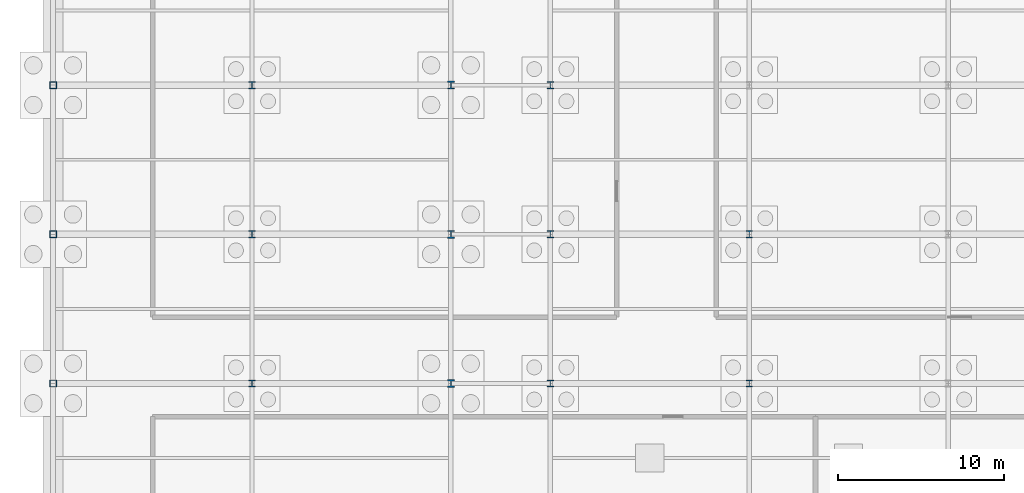
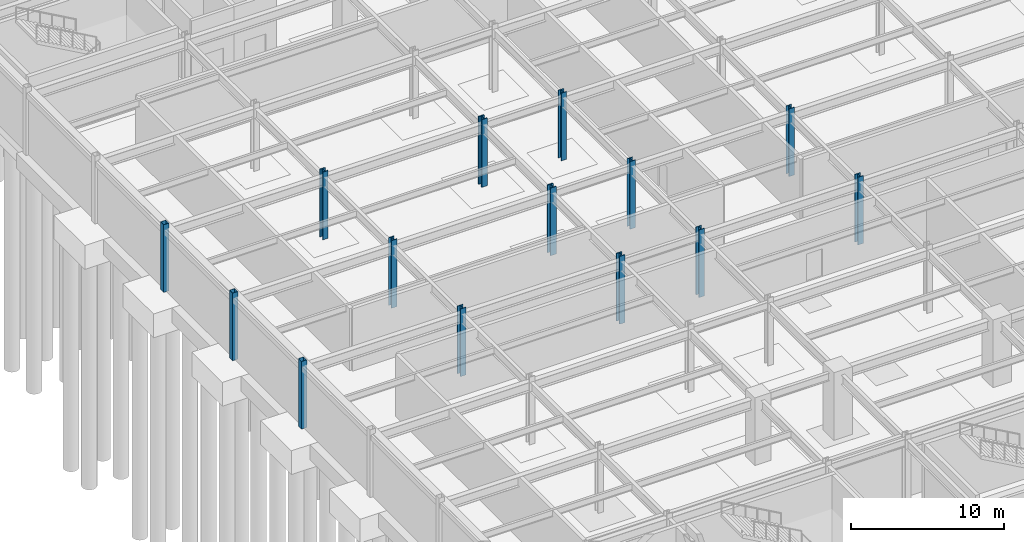
# One storey, part 10 of 47: 14 columns.
"""IFC4 building model written with IfcOpenShell, lengths in metres."""

from ifc_helpers import new_model, si_unit, direction, frame, origin, origin_2d, place, context, subcontext, project, spatial, hollow_rectangle, i_section, extrude, material, material_profile, profile_set, type_object, element, save


model = new_model("IFC4")

# Units and contexts
model_context = context("Model", 3, precision=1e-05, world=origin(), true_north=direction((0.0, 1.0)))
body_context = subcontext(model_context, "Body", "Model", "MODEL_VIEW")
ifc_project = project(units=[si_unit("LENGTHUNIT", "METRE"), si_unit("AREAUNIT", "SQUARE_METRE"), si_unit("VOLUMEUNIT", "CUBIC_METRE"), si_unit("PLANEANGLEUNIT", "RADIAN"), si_unit("MASSUNIT", "GRAM", prefix="KILO")], contexts=[model_context])

# Site, building, storey
site_placement = place(None, origin())
site = spatial("IfcSite", under=ifc_project, at=site_placement, CompositionType="ELEMENT")
building_placement = place(site_placement, origin())
building = spatial("IfcBuilding", under=site, at=building_placement, Name="Kaldorvane Square Convention Centre", CompositionType="ELEMENT")
storey_placement = place(building_placement, frame((0.0, 0.0, -5.399993896484375)))
storey = spatial("IfcBuildingStorey", under=building, at=storey_placement, Name="B01", CompositionType="ELEMENT", Elevation=-5.399993896484375)

# Columns
ifc_material_1 = material(Name="Steel ASTM A500 Gr. C", Category="steel")
ifc_material_profile_1 = material_profile(ifc_material_1, hollow_rectangle(XDim=0.406402587890625, YDim=0.406402587890625, WallThickness=0.014801025390625, at=origin_2d()), Name="HSS16X16X5/8")
ifc_profile_set_1 = profile_set([ifc_material_profile_1], Name="Steel ASTM A500 Gr. C")
column_type_1 = type_object("IfcColumnType", Name="COL-HSS-16", PredefinedType="COLUMN", material=ifc_profile_set_1)
for number, where, z_axis, x_axis, name in (
    (1, (0.0, 36.0, 0.0), (0.0, 0.0, 1.0), (1.0, 0.0, 0.0), "Column SC-14 (B01)"),
    (2, (0.0, 45.0, 0.0), (0.0, 0.0, 1.0), (1.0, 0.0, 0.0), "Column SC-14 (B01)"),
    (3, (0.0, 54.0, 0.0), (0.0, 0.0, 1.0), (1.0, 0.0, 0.0), "Column SC-14 (B01)"),
):
    element("IfcColumn", number, at=place(storey_placement, frame(where, z_axis=z_axis, x_axis=x_axis)), inside=storey, type_object=column_type_1, Name=name, PredefinedType="COLUMN", context=body_context, shape_type="SweptSolid", body=[
        extrude(hollow_rectangle(XDim=0.406402587890625, YDim=0.406402587890625, WallThickness=0.014801025390625, at=origin_2d()), origin(), (0.0, 0.0, 1.0), 5.399993896484375),
    ])
ifc_material_2 = material(Name="Steel ASTM A992 Gr. 50", Category="steel")
ifc_material_profile_2 = material_profile(ifc_material_2, i_section(OverallWidth=0.412200927734375, OverallDepth=0.4347991943359375, WebThickness=0.035797119140625, FlangeThickness=0.057403564453125, FilletRadius=0.0305023193359375, at=origin_2d()), Name="W14X311")
ifc_profile_set_2 = profile_set([ifc_material_profile_2], Name="Steel ASTM A992 Gr. 50")
column_type_2 = type_object("IfcColumnType", Name="COL-STL-311", PredefinedType="COLUMN", material=ifc_profile_set_2)
for number, where, z_axis, x_axis, name in (
    (4, (12.0, 36.0, 0.0), (0.0, 0.0, 1.0), (1.0, 0.0, 0.0), "Column SC-06 (B01)"),
    (5, (12.0, 45.0, 0.0), (0.0, 0.0, 1.0), (1.0, 0.0, 0.0), "Column SC-06 (B01)"),
    (6, (12.0, 54.0, 0.0), (0.0, 0.0, 1.0), (1.0, 0.0, 0.0), "Column SC-06 (B01)"),
    (7, (30.0, 36.0, 0.0), (0.0, 0.0, 1.0), (1.0, 0.0, 0.0), "Column SC-06 (B01)"),
    (8, (30.0, 45.0, 0.0), (0.0, 0.0, 1.0), (1.0, 0.0, 0.0), "Column SC-06 (B01)"),
    (9, (30.0, 54.0, 0.0), (0.0, 0.0, 1.0), (1.0, 0.0, 0.0), "Column SC-06 (B01)"),
    (10, (42.0, 36.0, 0.0), (0.0, 0.0, 1.0), (1.0, 0.0, 0.0), "Column SC-06 (B01)"),
    (11, (42.0, 45.0, 0.0), (0.0, 0.0, 1.0), (1.0, 0.0, 0.0), "Column SC-06 (B01)"),
):
    element("IfcColumn", number, at=place(storey_placement, frame(where, z_axis=z_axis, x_axis=x_axis)), inside=storey, type_object=column_type_2, Name=name, PredefinedType="COLUMN", context=body_context, shape_type="SweptSolid", body=[
        extrude(i_section(OverallWidth=0.412200927734375, OverallDepth=0.4347991943359375, WebThickness=0.035797119140625, FlangeThickness=0.057403564453125, FilletRadius=0.0305023193359375, at=origin_2d()), origin(), (0.0, 0.0, 1.0), 5.399993896484375),
    ])
ifc_material_profile_3 = material_profile(ifc_material_2, i_section(OverallWidth=0.424102783203125, OverallDepth=0.4741973876953125, WebThickness=0.047607421875, FlangeThickness=0.0771026611328125, FilletRadius=0.0305023193359375, at=origin_2d()), Name="W14X426")
ifc_profile_set_3 = profile_set([ifc_material_profile_3], Name="Steel ASTM A992 Gr. 50")
column_type_3 = type_object("IfcColumnType", Name="COL-STL-426", PredefinedType="COLUMN", material=ifc_profile_set_3)
for number, where, z_axis, x_axis, name in (
    (12, (24.0, 36.0, 0.0), (0.0, 0.0, 1.0), (1.0, 0.0, 0.0), "Column SC-04 (B01)"),
    (13, (24.0, 45.0, 0.0), (0.0, 0.0, 1.0), (1.0, 0.0, 0.0), "Column SC-04 (B01)"),
    (14, (24.0, 54.0, 0.0), (0.0, 0.0, 1.0), (1.0, 0.0, 0.0), "Column SC-04 (B01)"),
):
    element("IfcColumn", number, at=place(storey_placement, frame(where, z_axis=z_axis, x_axis=x_axis)), inside=storey, type_object=column_type_3, Name=name, PredefinedType="COLUMN", context=body_context, shape_type="SweptSolid", body=[
        extrude(i_section(OverallWidth=0.424102783203125, OverallDepth=0.4741973876953125, WebThickness=0.047607421875, FlangeThickness=0.0771026611328125, FilletRadius=0.0305023193359375, at=origin_2d()), origin(), (0.0, 0.0, 1.0), 5.399993896484375),
    ])

save(model, "model.ifc")
